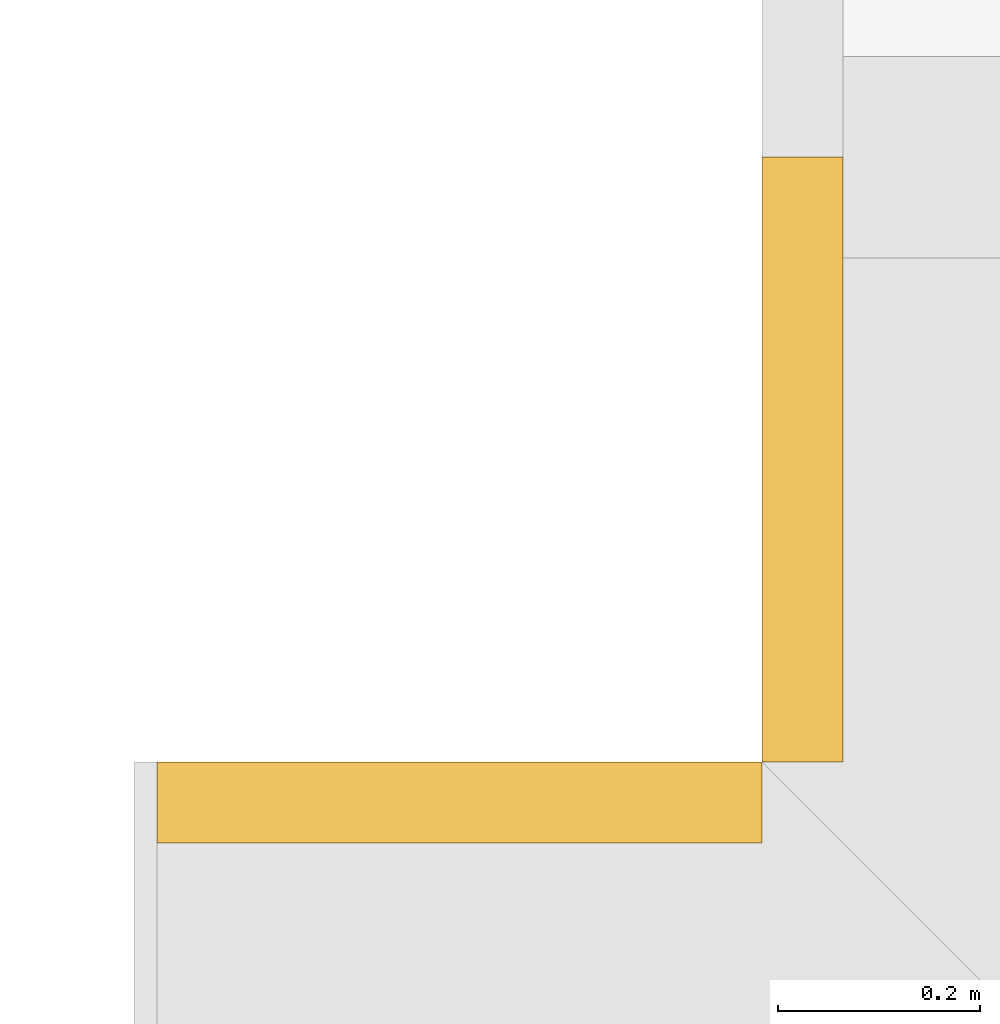
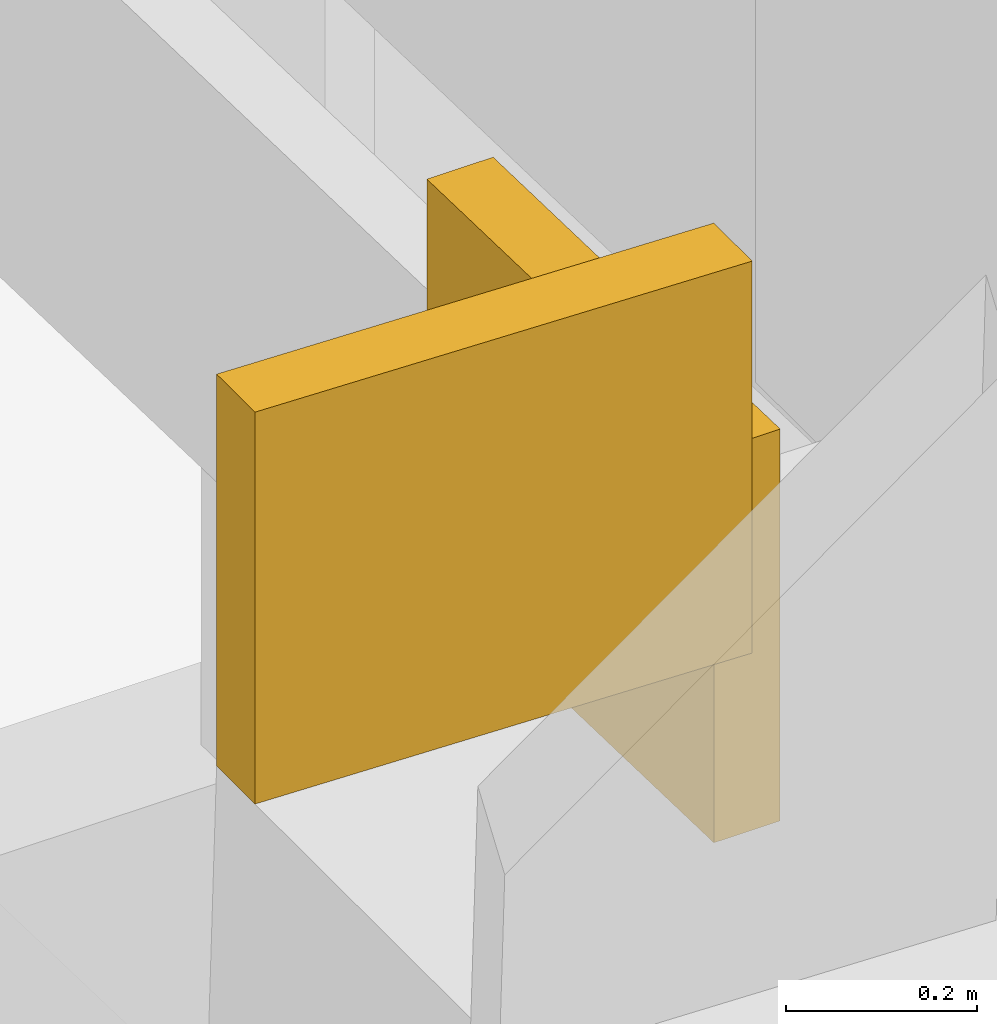
# One storey, part 21 of 21: 2 coverings.
"""IFC4 building model written with IfcOpenShell, lengths in metres."""

import ifcopenshell
import ifcopenshell.guid

model = None  # the IFC model being written
_history = None  # IfcOwnerHistory: only IFC2X3 demands one
_inside = {}  # id of a spatial element -> (the spatial element, [elements in it])
_under = {}  # id of a project, library or spatial element -> (it, [spatial elements below it])
_declared = {}  # id of a project -> (the project, [libraries it declares])
_typed = {}  # id of a type object -> (the type object, [elements of that type])
_made_of = {}  # id of a material, layer set ... -> (it, [elements and type objects made of it])


def new_model(schema):
    """Start an empty IFC model of exactly this schema.

    Asked for "IFC4X3", IfcOpenShell would pick the latest addendum, in which some entities
    have other attributes; the version numbers below select the first issue.
    IFC2X3 requires an IfcOwnerHistory on every rooted entity: one is made here for all.
    """
    global model, _history
    if schema == "IFC4X3":
        model = ifcopenshell.file(schema_version=(4, 3, 0, 0))
    else:
        model = ifcopenshell.file(schema=schema)
    _inside.clear()
    _under.clear()
    _declared.clear()
    _typed.clear()
    _made_of.clear()
    _history = None
    if model.schema == "IFC2X3":
        org = make("IfcOrganization", Name="unknown")
        user = make(
            "IfcPersonAndOrganization",
            ThePerson=make("IfcPerson", FamilyName="unknown"),
            TheOrganization=org,
        )
        app = make(
            "IfcApplication",
            ApplicationDeveloper=org,
            Version="unknown",
            ApplicationFullName="unknown",
            ApplicationIdentifier="unknown",
        )
        _history = make(
            "IfcOwnerHistory",
            OwningUser=user,
            OwningApplication=app,
            ChangeAction="ADDED",
            CreationDate=0,
        )
    return model


def make(cls, **values):
    """One entity of the class cls with the attributes given. An attribute that is None is left unset."""
    return model.create_entity(
        cls, **{name: value for name, value in values.items() if value is not None}
    )


def rooted(cls, **values):
    """An entity with a GlobalId (a new one), such as an element, a storey or a relation."""
    return make(cls, GlobalId=ifcopenshell.guid.new(), OwnerHistory=_history, **values)


def si_unit(unit_type, name, prefix=None):
    """IfcSIUnit, for example si_unit("LENGTHUNIT", "METRE", prefix="MILLI")."""
    return make("IfcSIUnit", UnitType=unit_type, Prefix=prefix, Name=name)


def assignment(units):
    """IfcUnitAssignment: the units of a project."""
    return None if units is None else make("IfcUnitAssignment", Units=units)


def point(xyz):
    """IfcCartesianPoint."""
    return None if xyz is None else make("IfcCartesianPoint", Coordinates=xyz)


def direction(xyz):
    """IfcDirection."""
    return None if xyz is None else make("IfcDirection", DirectionRatios=xyz)


def frame(location, z_axis=None, x_axis=None):
    """IfcAxis2Placement3D, a coordinate frame: its origin and axes. An axis left out is left unset."""
    return make(
        "IfcAxis2Placement3D",
        Location=point(location),
        Axis=direction(z_axis),
        RefDirection=direction(x_axis),
    )


def origin():
    """The frame at (0, 0, 0) with its axes left unset."""
    return frame((0.0, 0.0, 0.0))


def place(relative_to, where):
    """IfcLocalPlacement: puts the frame where relative to a parent placement (None: the world)."""
    return make(
        "IfcLocalPlacement", PlacementRelTo=relative_to, RelativePlacement=where
    )


def context(
    kind, dimensions, precision=None, world=None, true_north=None, identifier=None
):
    """IfcGeometricRepresentationContext, for example the 3D "Model" context."""
    return make(
        "IfcGeometricRepresentationContext",
        ContextIdentifier=identifier,
        ContextType=kind,
        CoordinateSpaceDimension=dimensions,
        Precision=precision,
        WorldCoordinateSystem=world,
        TrueNorth=true_north,
    )


def subcontext(parent, identifier, kind, view, scale=None):
    """IfcGeometricRepresentationSubContext, for example "Body" below "Model"."""
    return make(
        "IfcGeometricRepresentationSubContext",
        ContextIdentifier=identifier,
        ContextType=kind,
        ParentContext=parent,
        TargetScale=scale,
        TargetView=view,
    )


def project(units=None, contexts=None):
    """IfcProject with its units and contexts."""
    return rooted(
        "IfcProject",
        Name="project",
        RepresentationContexts=contexts,
        UnitsInContext=assignment(units),
    )


def spatial(cls, under=None, at=None, **own):
    """A site, building, storey or space (cls), placed at a placement, below another one or the project."""
    s = rooted(cls, ObjectPlacement=at, **own)
    if under is not None:
        _under.setdefault(under.id(), (under, []))[1].append(s)
    return s


def polyline(points):
    """IfcPolyline through the points."""
    return make("IfcPolyline", Points=[point(p) for p in points])


def outline(outer, holes=None, kind="AREA"):
    """IfcArbitraryClosedProfileDef: a profile drawn as a closed curve; with holes, ...WithVoids."""
    if holes is None:
        return make("IfcArbitraryClosedProfileDef", ProfileType=kind, OuterCurve=outer)
    return make(
        "IfcArbitraryProfileDefWithVoids",
        ProfileType=kind,
        OuterCurve=outer,
        InnerCurves=holes,
    )


def extrude(swept, where, along, depth):
    """IfcExtrudedAreaSolid: the profile swept, set in the frame where, extruded along a direction by depth."""
    return make(
        "IfcExtrudedAreaSolid",
        SweptArea=swept,
        Position=where,
        ExtrudedDirection=direction(along),
        Depth=depth,
    )


def shape(context_of_items, identifier, shape_type, items):
    """IfcShapeRepresentation: the items that make up one representation, for example the "Body"."""
    return make(
        "IfcShapeRepresentation",
        ContextOfItems=context_of_items,
        RepresentationIdentifier=identifier,
        RepresentationType=shape_type,
        Items=items,
    )


def material(Name=None, Category=None):
    """IfcMaterial."""
    return make("IfcMaterial", Name=Name, Category=Category)


def layer(
    of_material, thickness, ventilated=None, Name=None, Category=None, Priority=None
):
    """IfcMaterialLayer: one layer of a wall or slab, of a material (None: an air gap)."""
    return make(
        "IfcMaterialLayer",
        Material=of_material,
        LayerThickness=thickness,
        IsVentilated=ventilated,
        Name=Name,
        Category=Category,
        Priority=Priority,
    )


def layer_set(layers, Name=None):
    """IfcMaterialLayerSet."""
    return make("IfcMaterialLayerSet", MaterialLayers=layers, LayerSetName=Name)


def made_of(thing, what):
    """Note that an element or type object is made of a material, layer set ...; save() writes the relation."""
    if what is not None:
        _made_of.setdefault(what.id(), (what, []))[1].append(thing)
    return thing


def type_object(cls, material=None, **own):
    """A type object (cls), such as IfcWallType, which elements share."""
    return made_of(rooted(cls, **own), material)


def element(
    cls,
    number,
    at=None,
    inside=None,
    cuts=None,
    type_object=None,
    material=None,
    context=None,
    identifier="Body",
    shape_type=None,
    held_by="IfcProductDefinitionShape",
    body=None,
    shapes=None,
    **own,
):
    """One element of the class cls, such as IfcWall. Its Tag is "e" and its number.

    at: its placement. inside: the storey or other place that contains it. cuts: it is an
    opening in that element (IfcRelVoidsElement). A single representation is given by context,
    identifier, shape_type and body (its items); several are given by shapes. held_by: the class
    of the entity that holds the representations. save() writes the other relations.
    """
    e = rooted(cls, Tag="e%d" % number, ObjectPlacement=at, **own)
    if body is not None:
        shapes = [shape(context, identifier, shape_type, body)]
    if shapes is not None:
        e.Representation = make(held_by, Representations=shapes)
    if inside is not None:
        _inside.setdefault(inside.id(), (inside, []))[1].append(e)
    if cuts is not None:
        rooted(
            "IfcRelVoidsElement", RelatingBuildingElement=cuts, RelatedOpeningElement=e
        )
    if type_object is not None:
        _typed.setdefault(type_object.id(), (type_object, []))[1].append(e)
    return made_of(e, material)


def aggregate(whole, parts):
    """IfcRelAggregates: a whole, such as a stair, and the parts it consists of."""
    return rooted("IfcRelAggregates", RelatingObject=whole, RelatedObjects=parts)


def save(model, path):
    """Write the relations noted so far, then the file.

    IfcRelAggregates (storeys below a building ...), IfcRelContainedInSpatialStructure (elements
    in a storey), IfcRelDefinesByType, IfcRelAssociatesMaterial and IfcRelDeclares: one each for
    every whole, place, type object, material and project.
    """
    for whole, parts in _under.values():
        aggregate(whole, parts)
    for where, things in _inside.values():
        rooted(
            "IfcRelContainedInSpatialStructure",
            RelatedElements=things,
            RelatingStructure=where,
        )
    for kind, things in _typed.values():
        rooted("IfcRelDefinesByType", RelatedObjects=things, RelatingType=kind)
    for what, things in _made_of.values():
        rooted("IfcRelAssociatesMaterial", RelatedObjects=things, RelatingMaterial=what)
    for by, libraries in _declared.values():
        rooted("IfcRelDeclares", RelatingContext=by, RelatedDefinitions=libraries)
    model.write(path)


model = new_model("IFC4")

# Units and contexts
model_context = context("Model", 3, precision=1e-05, world=origin(), true_north=direction((0.0, 1.0)))
body_context = subcontext(model_context, "Body", "Model", "MODEL_VIEW")
ifc_project = project(units=[si_unit("LENGTHUNIT", "METRE"), si_unit("AREAUNIT", "SQUARE_METRE"), si_unit("VOLUMEUNIT", "CUBIC_METRE"), si_unit("PLANEANGLEUNIT", "RADIAN"), si_unit("MASSUNIT", "GRAM", prefix="KILO")], contexts=[model_context])

# Site, building, storey
site_placement = place(None, origin())
site = spatial("IfcSite", under=ifc_project, at=site_placement, CompositionType="ELEMENT")
building_placement = place(site_placement, origin())
building = spatial("IfcBuilding", under=site, at=building_placement, Name="Saffron Gate Tower", CompositionType="ELEMENT")
storey_placement = place(building_placement, frame((0.0, 0.0, 288.75)))
storey = spatial("IfcBuildingStorey", under=building, at=storey_placement, Name="L70", CompositionType="ELEMENT", Elevation=288.75)

# Coverings
ifc_material = material(Name="Timber, thermally modified ash", Category="wood")
ifc_layer = layer(ifc_material, 0.080078125)
ifc_layer_set = layer_set([ifc_layer], Name="LD2 ledge planter trough")
covering_type = type_object("IfcCoveringType", Name="LD2 ledge planter trough", PredefinedType="CLADDING", material=ifc_layer_set)
covering_1_placement = place(storey_placement, frame((58.800048828125, 73.800048828125, 3.2548828125), z_axis=(-1.0, 0.0, 0.0), x_axis=(0.0, -0.999594735783, 0.028466896463)))
element("IfcCovering", 1, at=covering_1_placement, inside=storey, type_object=covering_type, Name="LEDGE planter trough", PredefinedType="CLADDING", context=body_context, shape_type="SweptSolid", body=[
    extrude(outline(polyline([(0.0, 0.0), (0.6003409529560203, 0.0), (0.6145744011872722, 0.499797367891677), (0.014233448231251987, 0.49979736789167695), (0.0, 0.0)])), origin(), (0.0, 0.0, -1.0), 0.080078125),
])
covering_2_placement = place(storey_placement, frame((58.800048828125, 73.199951171875, 3.562744140625), z_axis=(0.0, 1.0, 0.0), x_axis=(-0.999583081391, 0.0, 0.028873229772)))
element("IfcCovering", 2, at=covering_2_placement, inside=storey, type_object=covering_type, Name="LEDGE planter trough", PredefinedType="CLADDING", context=body_context, shape_type="SweptSolid", body=[
    extrude(outline(polyline([(0.0, 0.0), (0.6003479524834376, -3.469446951953614e-18), (0.6147845673692678, 0.4997915406953566), (0.014436614885830073, 0.4997915406953566), (0.0, 0.0)])), origin(), (0.0, 0.0, -1.0), 0.080078125),
])

save(model, "model.ifc")
